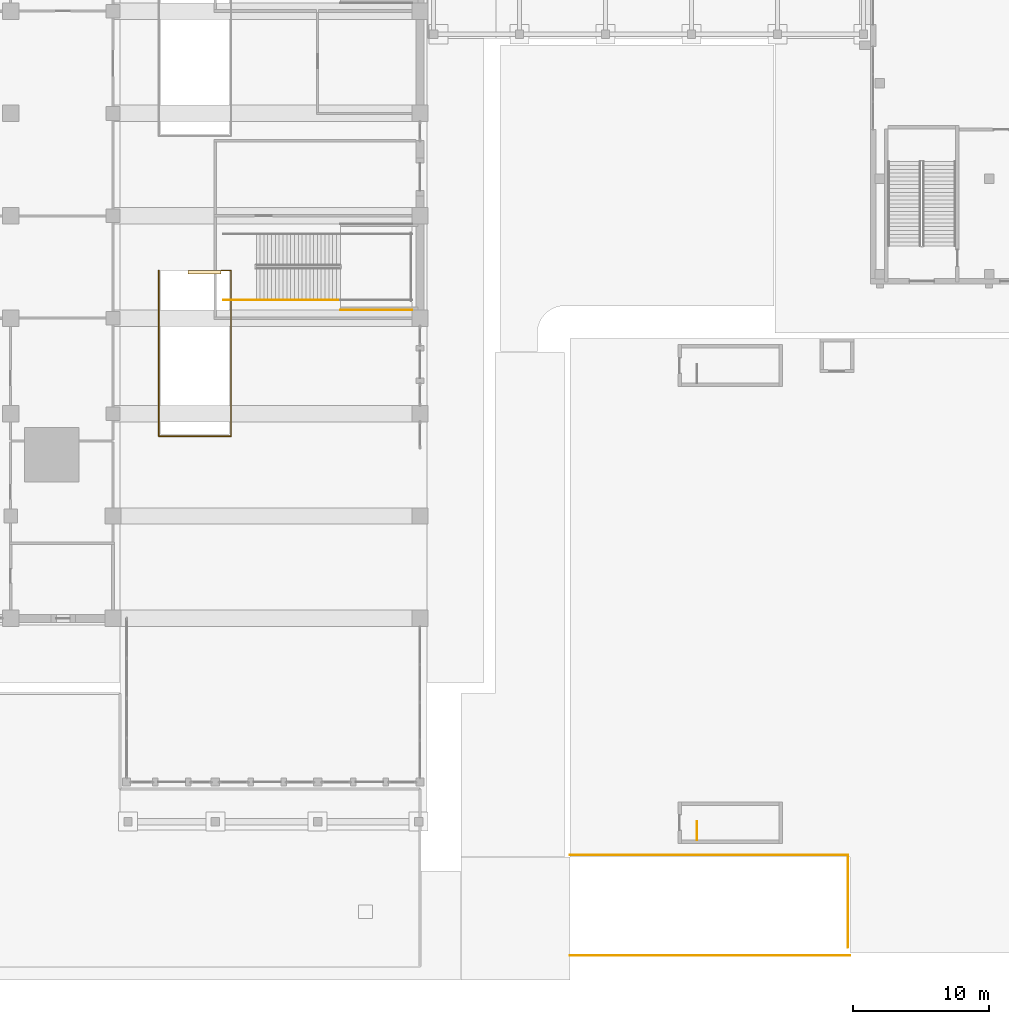
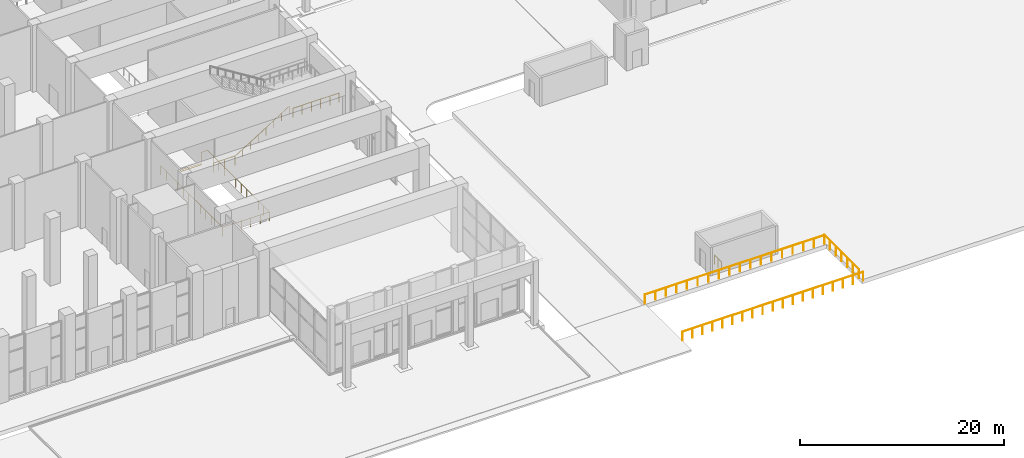
# One storey, part 42 of 57: 7 railings, 1 covering.
"""IFC4 building model written with IfcOpenShell, lengths in metres."""

import ifcopenshell
import ifcopenshell.guid

model = None  # the IFC model being written
_history = None  # IfcOwnerHistory: only IFC2X3 demands one
_inside = {}  # id of a spatial element -> (the spatial element, [elements in it])
_under = {}  # id of a project, library or spatial element -> (it, [spatial elements below it])
_declared = {}  # id of a project -> (the project, [libraries it declares])
_typed = {}  # id of a type object -> (the type object, [elements of that type])
_made_of = {}  # id of a material, layer set ... -> (it, [elements and type objects made of it])


def new_model(schema):
    """Start an empty IFC model of exactly this schema.

    Asked for "IFC4X3", IfcOpenShell would pick the latest addendum, in which some entities
    have other attributes; the version numbers below select the first issue.
    IFC2X3 requires an IfcOwnerHistory on every rooted entity: one is made here for all.
    """
    global model, _history
    if schema == "IFC4X3":
        model = ifcopenshell.file(schema_version=(4, 3, 0, 0))
    else:
        model = ifcopenshell.file(schema=schema)
    _inside.clear()
    _under.clear()
    _declared.clear()
    _typed.clear()
    _made_of.clear()
    _history = None
    if model.schema == "IFC2X3":
        org = make("IfcOrganization", Name="unknown")
        user = make(
            "IfcPersonAndOrganization",
            ThePerson=make("IfcPerson", FamilyName="unknown"),
            TheOrganization=org,
        )
        app = make(
            "IfcApplication",
            ApplicationDeveloper=org,
            Version="unknown",
            ApplicationFullName="unknown",
            ApplicationIdentifier="unknown",
        )
        _history = make(
            "IfcOwnerHistory",
            OwningUser=user,
            OwningApplication=app,
            ChangeAction="ADDED",
            CreationDate=0,
        )
    return model


def make(cls, **values):
    """One entity of the class cls with the attributes given. An attribute that is None is left unset."""
    return model.create_entity(
        cls, **{name: value for name, value in values.items() if value is not None}
    )


def rooted(cls, **values):
    """An entity with a GlobalId (a new one), such as an element, a storey or a relation."""
    return make(cls, GlobalId=ifcopenshell.guid.new(), OwnerHistory=_history, **values)


def si_unit(unit_type, name, prefix=None):
    """IfcSIUnit, for example si_unit("LENGTHUNIT", "METRE", prefix="MILLI")."""
    return make("IfcSIUnit", UnitType=unit_type, Prefix=prefix, Name=name)


def assignment(units):
    """IfcUnitAssignment: the units of a project."""
    return None if units is None else make("IfcUnitAssignment", Units=units)


def point(xyz):
    """IfcCartesianPoint."""
    return None if xyz is None else make("IfcCartesianPoint", Coordinates=xyz)


def direction(xyz):
    """IfcDirection."""
    return None if xyz is None else make("IfcDirection", DirectionRatios=xyz)


def frame(location, z_axis=None, x_axis=None):
    """IfcAxis2Placement3D, a coordinate frame: its origin and axes. An axis left out is left unset."""
    return make(
        "IfcAxis2Placement3D",
        Location=point(location),
        Axis=direction(z_axis),
        RefDirection=direction(x_axis),
    )


def frame_2d(location, x_axis=None):
    """IfcAxis2Placement2D, a coordinate frame in the plane: its origin and x axis."""
    return make(
        "IfcAxis2Placement2D", Location=point(location), RefDirection=direction(x_axis)
    )


def origin():
    """The frame at (0, 0, 0) with its axes left unset."""
    return frame((0.0, 0.0, 0.0))


def origin_2d():
    """The frame at (0, 0) in the plane with its x axis left unset."""
    return frame_2d((0.0, 0.0))


def place(relative_to, where):
    """IfcLocalPlacement: puts the frame where relative to a parent placement (None: the world)."""
    return make(
        "IfcLocalPlacement", PlacementRelTo=relative_to, RelativePlacement=where
    )


def context(
    kind, dimensions, precision=None, world=None, true_north=None, identifier=None
):
    """IfcGeometricRepresentationContext, for example the 3D "Model" context."""
    return make(
        "IfcGeometricRepresentationContext",
        ContextIdentifier=identifier,
        ContextType=kind,
        CoordinateSpaceDimension=dimensions,
        Precision=precision,
        WorldCoordinateSystem=world,
        TrueNorth=true_north,
    )


def subcontext(parent, identifier, kind, view, scale=None):
    """IfcGeometricRepresentationSubContext, for example "Body" below "Model"."""
    return make(
        "IfcGeometricRepresentationSubContext",
        ContextIdentifier=identifier,
        ContextType=kind,
        ParentContext=parent,
        TargetScale=scale,
        TargetView=view,
    )


def project(units=None, contexts=None):
    """IfcProject with its units and contexts."""
    return rooted(
        "IfcProject",
        Name="project",
        RepresentationContexts=contexts,
        UnitsInContext=assignment(units),
    )


def spatial(cls, under=None, at=None, **own):
    """A site, building, storey or space (cls), placed at a placement, below another one or the project."""
    s = rooted(cls, ObjectPlacement=at, **own)
    if under is not None:
        _under.setdefault(under.id(), (under, []))[1].append(s)
    return s


def polyline(points):
    """IfcPolyline through the points."""
    return make("IfcPolyline", Points=[point(p) for p in points])


def profile(cls, at=None, kind="AREA", **sizes):
    """A parametric profile (cls). Its sizes go by their IFC names, for example OverallWidth=200.0."""
    return make(cls, ProfileType=kind, Position=at, **sizes)


def circle(**sizes):
    """IfcCircleProfileDef."""
    return profile("IfcCircleProfileDef", **sizes)


def outline(outer, holes=None, kind="AREA"):
    """IfcArbitraryClosedProfileDef: a profile drawn as a closed curve; with holes, ...WithVoids."""
    if holes is None:
        return make("IfcArbitraryClosedProfileDef", ProfileType=kind, OuterCurve=outer)
    return make(
        "IfcArbitraryProfileDefWithVoids",
        ProfileType=kind,
        OuterCurve=outer,
        InnerCurves=holes,
    )


def extrude(swept, where, along, depth):
    """IfcExtrudedAreaSolid: the profile swept, set in the frame where, extruded along a direction by depth."""
    return make(
        "IfcExtrudedAreaSolid",
        SweptArea=swept,
        Position=where,
        ExtrudedDirection=direction(along),
        Depth=depth,
    )


def shape(context_of_items, identifier, shape_type, items):
    """IfcShapeRepresentation: the items that make up one representation, for example the "Body"."""
    return make(
        "IfcShapeRepresentation",
        ContextOfItems=context_of_items,
        RepresentationIdentifier=identifier,
        RepresentationType=shape_type,
        Items=items,
    )


def material(Name=None, Category=None):
    """IfcMaterial."""
    return make("IfcMaterial", Name=Name, Category=Category)


def layer(
    of_material, thickness, ventilated=None, Name=None, Category=None, Priority=None
):
    """IfcMaterialLayer: one layer of a wall or slab, of a material (None: an air gap)."""
    return make(
        "IfcMaterialLayer",
        Material=of_material,
        LayerThickness=thickness,
        IsVentilated=ventilated,
        Name=Name,
        Category=Category,
        Priority=Priority,
    )


def layer_set(layers, Name=None):
    """IfcMaterialLayerSet."""
    return make("IfcMaterialLayerSet", MaterialLayers=layers, LayerSetName=Name)


def made_of(thing, what):
    """Note that an element or type object is made of a material, layer set ...; save() writes the relation."""
    if what is not None:
        _made_of.setdefault(what.id(), (what, []))[1].append(thing)
    return thing


def type_object(cls, material=None, **own):
    """A type object (cls), such as IfcWallType, which elements share."""
    return made_of(rooted(cls, **own), material)


def element(
    cls,
    number,
    at=None,
    inside=None,
    cuts=None,
    type_object=None,
    material=None,
    context=None,
    identifier="Body",
    shape_type=None,
    held_by="IfcProductDefinitionShape",
    body=None,
    shapes=None,
    **own,
):
    """One element of the class cls, such as IfcWall. Its Tag is "e" and its number.

    at: its placement. inside: the storey or other place that contains it. cuts: it is an
    opening in that element (IfcRelVoidsElement). A single representation is given by context,
    identifier, shape_type and body (its items); several are given by shapes. held_by: the class
    of the entity that holds the representations. save() writes the other relations.
    """
    e = rooted(cls, Tag="e%d" % number, ObjectPlacement=at, **own)
    if body is not None:
        shapes = [shape(context, identifier, shape_type, body)]
    if shapes is not None:
        e.Representation = make(held_by, Representations=shapes)
    if inside is not None:
        _inside.setdefault(inside.id(), (inside, []))[1].append(e)
    if cuts is not None:
        rooted(
            "IfcRelVoidsElement", RelatingBuildingElement=cuts, RelatedOpeningElement=e
        )
    if type_object is not None:
        _typed.setdefault(type_object.id(), (type_object, []))[1].append(e)
    return made_of(e, material)


def aggregate(whole, parts):
    """IfcRelAggregates: a whole, such as a stair, and the parts it consists of."""
    return rooted("IfcRelAggregates", RelatingObject=whole, RelatedObjects=parts)


def save(model, path):
    """Write the relations noted so far, then the file.

    IfcRelAggregates (storeys below a building ...), IfcRelContainedInSpatialStructure (elements
    in a storey), IfcRelDefinesByType, IfcRelAssociatesMaterial and IfcRelDeclares: one each for
    every whole, place, type object, material and project.
    """
    for whole, parts in _under.values():
        aggregate(whole, parts)
    for where, things in _inside.values():
        rooted(
            "IfcRelContainedInSpatialStructure",
            RelatedElements=things,
            RelatingStructure=where,
        )
    for kind, things in _typed.values():
        rooted("IfcRelDefinesByType", RelatedObjects=things, RelatingType=kind)
    for what, things in _made_of.values():
        rooted("IfcRelAssociatesMaterial", RelatedObjects=things, RelatingMaterial=what)
    for by, libraries in _declared.values():
        rooted("IfcRelDeclares", RelatingContext=by, RelatedDefinitions=libraries)
    model.write(path)


model = new_model("IFC4")

# Units and contexts
model_context = context("Model", 3, precision=1e-05, world=origin(), true_north=direction((0.0, 1.0)))
body_context = subcontext(model_context, "Body", "Model", "MODEL_VIEW")
ifc_project = project(units=[si_unit("LENGTHUNIT", "METRE"), si_unit("AREAUNIT", "SQUARE_METRE"), si_unit("VOLUMEUNIT", "CUBIC_METRE"), si_unit("PLANEANGLEUNIT", "RADIAN"), si_unit("MASSUNIT", "GRAM", prefix="KILO")], contexts=[model_context])

# Site, building, storey
site_placement = place(None, origin())
site = spatial("IfcSite", under=ifc_project, at=site_placement, CompositionType="ELEMENT")
building_placement = place(site_placement, origin())
building = spatial("IfcBuilding", under=site, at=building_placement, Name="Tamorin Gate", CompositionType="ELEMENT")
storey_placement = place(building_placement, origin())
storey = spatial("IfcBuildingStorey", under=building, at=storey_placement, Name="L00", CompositionType="ELEMENT", Elevation=0.0)

# Covering
ifc_material_1 = material(Name="Steel, galvanised", Category="steel")
ifc_layer = layer(ifc_material_1, 0.050048828125)
ifc_layer_set = layer_set([ifc_layer], Name="Escalator landing plate 50")
covering_type = type_object("IfcCoveringType", Name="Escalator landing plate 50", PredefinedType="FLOORING", material=ifc_layer_set)
covering_placement = place(storey_placement, frame((0.0, 0.0, -0.25)))
element("IfcCovering", 1, at=covering_placement, inside=storey, type_object=covering_type, Name="Escalator landing plate", PredefinedType="FLOORING", context=body_context, shape_type="SweptSolid", body=[
    extrude(outline(polyline([(95.0, 55.75), (97.39990234375, 55.75), (97.39990234375, 56.0), (95.0, 56.0), (95.0, 55.75)])), origin(), (0.0, 0.0, 1.0), 0.050048828125),
])

# Railings
ifc_material_2 = material(Name="Steel", Category="steel")
railing_type_1 = type_object("IfcRailingType", Name="Podium guard 1100", PredefinedType="GUARDRAIL", material=ifc_material_2)
railing_1_placement = place(storey_placement, frame((97.60009765625, 53.824951171875, 0.0)))
element("IfcRailing", 2, at=railing_1_placement, inside=storey, type_object=railing_type_1, Name="L00 PS3 stair guard 8", PredefinedType="GUARDRAIL", context=body_context, shape_type="SweptSolid", body=[
    extrude(circle(Radius=0.02392578125, at=origin_2d()), frame((0.0, 0.0, 1.076171875), z_axis=(1.0, 0.0, 0.0), x_axis=(0.0, 1.0, 0.0)), (0.0, 0.0, 1.0), 2.39990234375),
    extrude(circle(Radius=0.02099609375, at=origin_2d()), origin(), (0.0, 0.0, 1.0), 1.052001953125),
    extrude(circle(Radius=0.02099609375, at=origin_2d()), frame((1.199951171875, 0.0, 0.0)), (0.0, 0.0, 1.0), 1.052001953125),
    extrude(circle(Radius=0.02099609375, at=origin_2d()), frame((2.39990234375, 0.0, 0.0)), (0.0, 0.0, 1.0), 1.052001953125),
])
railing_2_placement = place(storey_placement, frame((106.159912109375, 53.10009765625, 4.0)))
element("IfcRailing", 3, at=railing_2_placement, inside=storey, type_object=railing_type_1, Name="Landing edge guard", PredefinedType="GUARDRAIL", context=body_context, shape_type="SweptSolid", body=[
    extrude(circle(Radius=0.02392578125, at=origin_2d()), frame((0.0, 0.0, 1.076171875), z_axis=(1.0, 0.0, 0.0), x_axis=(0.0, 1.0, 0.0)), (0.0, 0.0, 1.0), 5.239990234375),
    extrude(circle(Radius=0.02099609375, at=origin_2d()), origin(), (0.0, 0.0, 1.0), 1.052001953125),
    extrude(circle(Radius=0.02099609375, at=origin_2d()), frame((1.048095703125, 0.0, 0.0)), (0.0, 0.0, 1.0), 1.052001953125),
    extrude(circle(Radius=0.02099609375, at=origin_2d()), frame((2.095947265625, 0.0, 0.0)), (0.0, 0.0, 1.0), 1.052001953125),
    extrude(circle(Radius=0.02099609375, at=origin_2d()), frame((3.14404296875, 0.0, 0.0)), (0.0, 0.0, 1.0), 1.052001953125),
    extrude(circle(Radius=0.02099609375, at=origin_2d()), frame((4.19189453125, 0.0, 0.0)), (0.0, 0.0, 1.0), 1.052001953125),
    extrude(circle(Radius=0.02099609375, at=origin_2d()), frame((5.239990234375, 0.0, 0.0)), (0.0, 0.0, 1.0), 1.052001953125),
])
railing_type_2 = type_object("IfcRailingType", Name="Podium stair handrail 900", PredefinedType="HANDRAIL", material=ifc_material_2)
railing_3_placement = place(storey_placement, frame((100.0, 53.824951171875, 0.173828125)))
element("IfcRailing", 4, at=railing_3_placement, inside=storey, type_object=railing_type_2, Name="L00 PS3 stair handrail 1", PredefinedType="HANDRAIL", context=body_context, shape_type="SweptSolid", body=[
    extrude(circle(Radius=0.02392578125, at=origin_2d()), frame((0.0, 0.0, 0.8759765625), z_axis=(0.849468459523, 0.0, 0.527639399851), x_axis=(0.0, 1.0, 0.0)), (0.0, 0.0, 1.0), 7.25146484375),
    extrude(circle(Radius=0.02099609375, at=origin_2d()), origin(), (0.0, 0.0, 1.0), 0.851806640625),
    extrude(circle(Radius=0.02099609375, at=origin_2d()), frame((0.8798828125, 0.0, 0.546630859375)), (0.0, 0.0, 1.0), 0.851806640625),
    extrude(circle(Radius=0.02099609375, at=origin_2d()), frame((1.760009765625, 0.0, 1.09326171875)), (0.0, 0.0, 1.0), 0.851806640625),
    extrude(circle(Radius=0.02099609375, at=origin_2d()), frame((2.639892578125, 0.0, 1.639892578125)), (0.0, 0.0, 1.0), 0.851806640625),
    extrude(circle(Radius=0.02099609375, at=origin_2d()), frame((3.52001953125, 0.0, 2.186279296875)), (0.0, 0.0, 1.0), 0.851806640625),
    extrude(circle(Radius=0.02099609375, at=origin_2d()), frame((4.39990234375, 0.0, 2.73291015625)), (0.0, 0.0, 1.0), 0.851806640625),
    extrude(circle(Radius=0.02099609375, at=origin_2d()), frame((5.280029296875, 0.0, 3.279541015625)), (0.0, 0.0, 1.0), 0.851806640625),
    extrude(circle(Radius=0.02099609375, at=origin_2d()), frame((6.159912109375, 0.0, 3.826171875)), (0.0, 0.0, 1.0), 0.851806640625),
])
railing_type_3 = type_object("IfcRailingType", Name="Station barrier 1100", PredefinedType="GUARDRAIL", material=ifc_material_2)
railing_4_placement = place(storey_placement, frame((92.85009765625, 56.0, 0.0)))
element("IfcRailing", 5, at=railing_4_placement, inside=storey, type_object=railing_type_3, Name="Station void barrier", PredefinedType="GUARDRAIL", context=body_context, shape_type="SweptSolid", body=[
    extrude(circle(Radius=0.02392578125, at=origin_2d()), frame((0.0, 0.0, 1.076171875), z_axis=(0.0, -1.0, 0.0), x_axis=(1.0, 0.0, 0.0)), (0.0, 0.0, 1.0), 12.14990234375),
    extrude(circle(Radius=0.02392578125, at=origin_2d()), frame((0.0, -12.14990234375, 1.076171875), z_axis=(1.0, 0.0, 0.0), x_axis=(0.0, 1.0, 0.0)), (0.0, 0.0, 1.0), 5.2998046875),
    extrude(circle(Radius=0.02392578125, at=origin_2d()), frame((5.2998046875, -12.14990234375, 1.076171875), z_axis=(0.0, 1.0, 0.0), x_axis=(-1.0, 0.0, 0.0)), (0.0, 0.0, 1.0), 12.14990234375),
    extrude(circle(Radius=0.02392578125, at=origin_2d()), frame((5.2998046875, 0.0, 1.076171875), z_axis=(-1.0, 0.0, 0.0), x_axis=(0.0, -1.0, 0.0)), (0.0, 0.0, 1.0), 0.699951171875),
    extrude(circle(Radius=0.02099609375, at=origin_2d()), origin(), (0.0, 0.0, 1.0), 1.052001953125),
    extrude(circle(Radius=0.02099609375, at=origin_2d()), frame((0.0, -1.1044921875, 0.0)), (0.0, 0.0, 1.0), 1.052001953125),
    extrude(circle(Radius=0.02099609375, at=origin_2d()), frame((0.0, -2.208984375, 0.0)), (0.0, 0.0, 1.0), 1.052001953125),
    extrude(circle(Radius=0.02099609375, at=origin_2d()), frame((0.0, -3.313720703125, 0.0)), (0.0, 0.0, 1.0), 1.052001953125),
    extrude(circle(Radius=0.02099609375, at=origin_2d()), frame((0.0, -4.418212890625, 0.0)), (0.0, 0.0, 1.0), 1.052001953125),
    extrude(circle(Radius=0.02099609375, at=origin_2d()), frame((0.0, -5.522705078125, 0.0)), (0.0, 0.0, 1.0), 1.052001953125),
    extrude(circle(Radius=0.02099609375, at=origin_2d()), frame((0.0, -6.627197265625, 0.0)), (0.0, 0.0, 1.0), 1.052001953125),
    extrude(circle(Radius=0.02099609375, at=origin_2d()), frame((0.0, -7.731689453125, 0.0)), (0.0, 0.0, 1.0), 1.052001953125),
    extrude(circle(Radius=0.02099609375, at=origin_2d()), frame((0.0, -8.836181640625, 0.0)), (0.0, 0.0, 1.0), 1.052001953125),
    extrude(circle(Radius=0.02099609375, at=origin_2d()), frame((0.0, -9.94091796875, 0.0)), (0.0, 0.0, 1.0), 1.052001953125),
    extrude(circle(Radius=0.02099609375, at=origin_2d()), frame((0.0, -11.04541015625, 0.0)), (0.0, 0.0, 1.0), 1.052001953125),
    extrude(circle(Radius=0.02099609375, at=origin_2d()), frame((0.0, -12.14990234375, 0.0)), (0.0, 0.0, 1.0), 1.052001953125),
    extrude(circle(Radius=0.02099609375, at=origin_2d()), frame((1.06005859375, -12.14990234375, 0.0)), (0.0, 0.0, 1.0), 1.052001953125),
    extrude(circle(Radius=0.02099609375, at=origin_2d()), frame((2.119873046875, -12.14990234375, 0.0)), (0.0, 0.0, 1.0), 1.052001953125),
    extrude(circle(Radius=0.02099609375, at=origin_2d()), frame((3.179931640625, -12.14990234375, 0.0)), (0.0, 0.0, 1.0), 1.052001953125),
    extrude(circle(Radius=0.02099609375, at=origin_2d()), frame((4.23974609375, -12.14990234375, 0.0)), (0.0, 0.0, 1.0), 1.052001953125),
    extrude(circle(Radius=0.02099609375, at=origin_2d()), frame((5.2998046875, -12.14990234375, 0.0)), (0.0, 0.0, 1.0), 1.052001953125),
    extrude(circle(Radius=0.02099609375, at=origin_2d()), frame((5.2998046875, -11.04541015625, 0.0)), (0.0, 0.0, 1.0), 1.052001953125),
    extrude(circle(Radius=0.02099609375, at=origin_2d()), frame((5.2998046875, -9.94091796875, 0.0)), (0.0, 0.0, 1.0), 1.052001953125),
    extrude(circle(Radius=0.02099609375, at=origin_2d()), frame((5.2998046875, -8.836181640625, 0.0)), (0.0, 0.0, 1.0), 1.052001953125),
    extrude(circle(Radius=0.02099609375, at=origin_2d()), frame((5.2998046875, -7.731689453125, 0.0)), (0.0, 0.0, 1.0), 1.052001953125),
    extrude(circle(Radius=0.02099609375, at=origin_2d()), frame((5.2998046875, -6.627197265625, 0.0)), (0.0, 0.0, 1.0), 1.052001953125),
    extrude(circle(Radius=0.02099609375, at=origin_2d()), frame((5.2998046875, -5.522705078125, 0.0)), (0.0, 0.0, 1.0), 1.052001953125),
    extrude(circle(Radius=0.02099609375, at=origin_2d()), frame((5.2998046875, -4.418212890625, 0.0)), (0.0, 0.0, 1.0), 1.052001953125),
    extrude(circle(Radius=0.02099609375, at=origin_2d()), frame((5.2998046875, -3.313720703125, 0.0)), (0.0, 0.0, 1.0), 1.052001953125),
    extrude(circle(Radius=0.02099609375, at=origin_2d()), frame((5.2998046875, -2.208984375, 0.0)), (0.0, 0.0, 1.0), 1.052001953125),
    extrude(circle(Radius=0.02099609375, at=origin_2d()), frame((5.2998046875, -1.1044921875, 0.0)), (0.0, 0.0, 1.0), 1.052001953125),
    extrude(circle(Radius=0.02099609375, at=origin_2d()), frame((5.2998046875, 0.0, 0.0)), (0.0, 0.0, 1.0), 1.052001953125),
    extrude(circle(Radius=0.02099609375, at=origin_2d()), frame((4.599853515625, 0.0, 0.0)), (0.0, 0.0, 1.0), 1.052001953125),
])
railing_type_4 = type_object("IfcRailingType", Name="Steel guard 1100", PredefinedType="GUARDRAIL", material=ifc_material_1)
railing_5_placement = place(storey_placement, frame((132.300048828125, 14.25, 0.0)))
element("IfcRailing", 6, at=railing_5_placement, inside=storey, type_object=railing_type_4, Name="L00 SB6 top well guard 1", PredefinedType="GUARDRAIL", context=body_context, shape_type="SweptSolid", body=[
    extrude(circle(Radius=0.02392578125, at=origin_2d()), frame((0.0, 0.0, 1.076171875), z_axis=(0.0, 1.0, 0.0), x_axis=(-1.0, 0.0, 0.0)), (0.0, 0.0, 1.0), 1.35009765625),
    extrude(circle(Radius=0.02099609375, at=origin_2d()), origin(), (0.0, 0.0, 1.0), 1.052001953125),
    extrude(circle(Radius=0.02099609375, at=origin_2d()), frame((0.0, 0.675048828125, 0.0)), (0.0, 0.0, 1.0), 1.052001953125),
    extrude(circle(Radius=0.02099609375, at=origin_2d()), frame((0.0, 1.35009765625, 0.0)), (0.0, 0.0, 1.0), 1.052001953125),
])
railing_6_placement = place(storey_placement, frame((123.0, 5.800048828125, 0.0)))
element("IfcRailing", 7, at=railing_6_placement, inside=storey, type_object=railing_type_4, Name="Trench guard", PredefinedType="GUARDRAIL", context=body_context, shape_type="SweptSolid", body=[
    extrude(circle(Radius=0.02392578125, at=origin_2d()), frame((0.0, 0.0, 1.076171875), z_axis=(1.0, 0.0, 0.0), x_axis=(0.0, 1.0, 0.0)), (0.0, 0.0, 1.0), 20.5),
    extrude(circle(Radius=0.02099609375, at=origin_2d()), origin(), (0.0, 0.0, 1.0), 1.052001953125),
    extrude(circle(Radius=0.02099609375, at=origin_2d()), frame((1.138916015625, 0.0, 0.0)), (0.0, 0.0, 1.0), 1.052001953125),
    extrude(circle(Radius=0.02099609375, at=origin_2d()), frame((2.27783203125, 0.0, 0.0)), (0.0, 0.0, 1.0), 1.052001953125),
    extrude(circle(Radius=0.02099609375, at=origin_2d()), frame((3.416748046875, 0.0, 0.0)), (0.0, 0.0, 1.0), 1.052001953125),
    extrude(circle(Radius=0.02099609375, at=origin_2d()), frame((4.5556640625, 0.0, 0.0)), (0.0, 0.0, 1.0), 1.052001953125),
    extrude(circle(Radius=0.02099609375, at=origin_2d()), frame((5.6943359375, 0.0, 0.0)), (0.0, 0.0, 1.0), 1.052001953125),
    extrude(circle(Radius=0.02099609375, at=origin_2d()), frame((6.833251953125, 0.0, 0.0)), (0.0, 0.0, 1.0), 1.052001953125),
    extrude(circle(Radius=0.02099609375, at=origin_2d()), frame((7.97216796875, 0.0, 0.0)), (0.0, 0.0, 1.0), 1.052001953125),
    extrude(circle(Radius=0.02099609375, at=origin_2d()), frame((9.111083984375, 0.0, 0.0)), (0.0, 0.0, 1.0), 1.052001953125),
    extrude(circle(Radius=0.02099609375, at=origin_2d()), frame((10.25, 0.0, 0.0)), (0.0, 0.0, 1.0), 1.052001953125),
    extrude(circle(Radius=0.02099609375, at=origin_2d()), frame((11.388916015625, 0.0, 0.0)), (0.0, 0.0, 1.0), 1.052001953125),
    extrude(circle(Radius=0.02099609375, at=origin_2d()), frame((12.52783203125, 0.0, 0.0)), (0.0, 0.0, 1.0), 1.052001953125),
    extrude(circle(Radius=0.02099609375, at=origin_2d()), frame((13.666748046875, 0.0, 0.0)), (0.0, 0.0, 1.0), 1.052001953125),
    extrude(circle(Radius=0.02099609375, at=origin_2d()), frame((14.8056640625, 0.0, 0.0)), (0.0, 0.0, 1.0), 1.052001953125),
    extrude(circle(Radius=0.02099609375, at=origin_2d()), frame((15.9443359375, 0.0, 0.0)), (0.0, 0.0, 1.0), 1.052001953125),
    extrude(circle(Radius=0.02099609375, at=origin_2d()), frame((17.083251953125, 0.0, 0.0)), (0.0, 0.0, 1.0), 1.052001953125),
    extrude(circle(Radius=0.02099609375, at=origin_2d()), frame((18.22216796875, 0.0, 0.0)), (0.0, 0.0, 1.0), 1.052001953125),
    extrude(circle(Radius=0.02099609375, at=origin_2d()), frame((19.361083984375, 0.0, 0.0)), (0.0, 0.0, 1.0), 1.052001953125),
    extrude(circle(Radius=0.02099609375, at=origin_2d()), frame((20.5, 0.0, 0.0)), (0.0, 0.0, 1.0), 1.052001953125),
])
railing_7_placement = place(storey_placement, frame((123.0, 13.14990234375, 0.0)))
element("IfcRailing", 8, at=railing_7_placement, inside=storey, type_object=railing_type_4, Name="Trench guard", PredefinedType="GUARDRAIL", context=body_context, shape_type="SweptSolid", body=[
    extrude(circle(Radius=0.02392578125, at=origin_2d()), frame((0.0, 0.0, 1.076171875), z_axis=(1.0, 0.0, 0.0), x_axis=(0.0, 1.0, 0.0)), (0.0, 0.0, 1.0), 20.35009765625),
    extrude(circle(Radius=0.02392578125, at=origin_2d()), frame((20.35009765625, 0.0, 1.076171875), z_axis=(0.0, -1.0, 0.0), x_axis=(1.0, 0.0, 0.0)), (0.0, 0.0, 1.0), 6.75),
    extrude(circle(Radius=0.02099609375, at=origin_2d()), origin(), (0.0, 0.0, 1.0), 1.052001953125),
    extrude(circle(Radius=0.02099609375, at=origin_2d()), frame((1.197021484375, 0.0, 0.0)), (0.0, 0.0, 1.0), 1.052001953125),
    extrude(circle(Radius=0.02099609375, at=origin_2d()), frame((2.39404296875, 0.0, 0.0)), (0.0, 0.0, 1.0), 1.052001953125),
    extrude(circle(Radius=0.02099609375, at=origin_2d()), frame((3.59130859375, 0.0, 0.0)), (0.0, 0.0, 1.0), 1.052001953125),
    extrude(circle(Radius=0.02099609375, at=origin_2d()), frame((4.788330078125, 0.0, 0.0)), (0.0, 0.0, 1.0), 1.052001953125),
    extrude(circle(Radius=0.02099609375, at=origin_2d()), frame((5.9853515625, 0.0, 0.0)), (0.0, 0.0, 1.0), 1.052001953125),
    extrude(circle(Radius=0.02099609375, at=origin_2d()), frame((7.182373046875, 0.0, 0.0)), (0.0, 0.0, 1.0), 1.052001953125),
    extrude(circle(Radius=0.02099609375, at=origin_2d()), frame((8.37939453125, 0.0, 0.0)), (0.0, 0.0, 1.0), 1.052001953125),
    extrude(circle(Radius=0.02099609375, at=origin_2d()), frame((9.576416015625, 0.0, 0.0)), (0.0, 0.0, 1.0), 1.052001953125),
    extrude(circle(Radius=0.02099609375, at=origin_2d()), frame((10.773681640625, 0.0, 0.0)), (0.0, 0.0, 1.0), 1.052001953125),
    extrude(circle(Radius=0.02099609375, at=origin_2d()), frame((11.970703125, 0.0, 0.0)), (0.0, 0.0, 1.0), 1.052001953125),
    extrude(circle(Radius=0.02099609375, at=origin_2d()), frame((13.167724609375, 0.0, 0.0)), (0.0, 0.0, 1.0), 1.052001953125),
    extrude(circle(Radius=0.02099609375, at=origin_2d()), frame((14.36474609375, 0.0, 0.0)), (0.0, 0.0, 1.0), 1.052001953125),
    extrude(circle(Radius=0.02099609375, at=origin_2d()), frame((15.561767578125, 0.0, 0.0)), (0.0, 0.0, 1.0), 1.052001953125),
    extrude(circle(Radius=0.02099609375, at=origin_2d()), frame((16.7587890625, 0.0, 0.0)), (0.0, 0.0, 1.0), 1.052001953125),
    extrude(circle(Radius=0.02099609375, at=origin_2d()), frame((17.9560546875, 0.0, 0.0)), (0.0, 0.0, 1.0), 1.052001953125),
    extrude(circle(Radius=0.02099609375, at=origin_2d()), frame((19.153076171875, 0.0, 0.0)), (0.0, 0.0, 1.0), 1.052001953125),
    extrude(circle(Radius=0.02099609375, at=origin_2d()), frame((20.35009765625, 0.0, 0.0)), (0.0, 0.0, 1.0), 1.052001953125),
    extrude(circle(Radius=0.02099609375, at=origin_2d()), frame((20.35009765625, -1.125, 0.0)), (0.0, 0.0, 1.0), 1.052001953125),
    extrude(circle(Radius=0.02099609375, at=origin_2d()), frame((20.35009765625, -2.25, 0.0)), (0.0, 0.0, 1.0), 1.052001953125),
    extrude(circle(Radius=0.02099609375, at=origin_2d()), frame((20.35009765625, -3.375, 0.0)), (0.0, 0.0, 1.0), 1.052001953125),
    extrude(circle(Radius=0.02099609375, at=origin_2d()), frame((20.35009765625, -4.5, 0.0)), (0.0, 0.0, 1.0), 1.052001953125),
    extrude(circle(Radius=0.02099609375, at=origin_2d()), frame((20.35009765625, -5.625, 0.0)), (0.0, 0.0, 1.0), 1.052001953125),
    extrude(circle(Radius=0.02099609375, at=origin_2d()), frame((20.35009765625, -6.75, 0.0)), (0.0, 0.0, 1.0), 1.052001953125),
])

save(model, "model.ifc")
